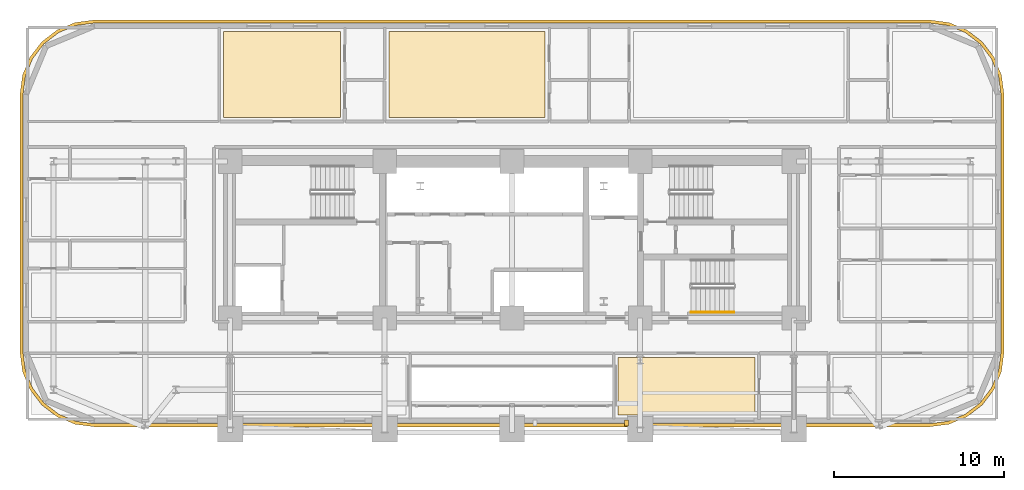
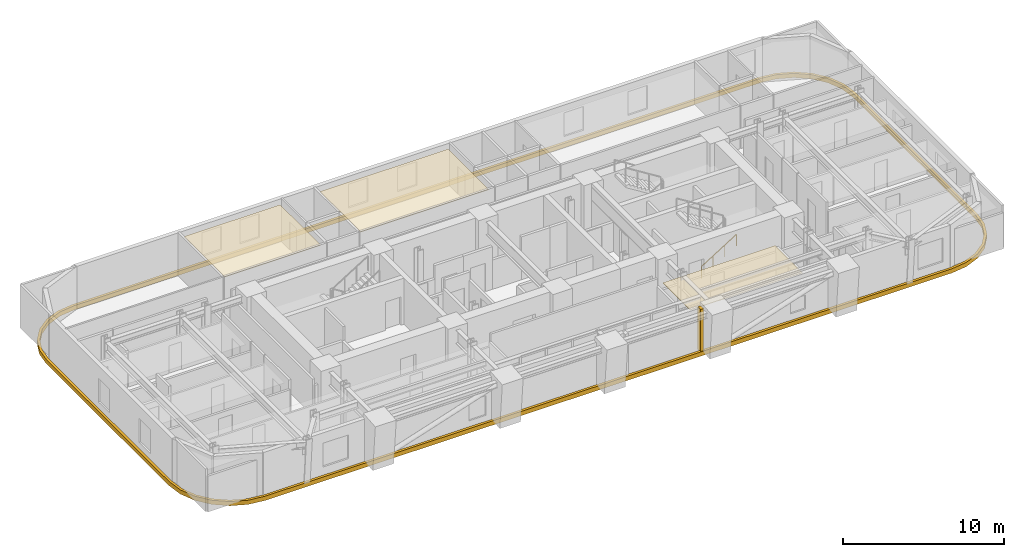
# One storey, part 15 of 16: 5 coverings, 1 railing.
"""IFC4 building model written with IfcOpenShell, lengths in metres."""

from ifc_helpers import new_model, si_unit, direction, frame, origin, origin_2d, place, context, subcontext, project, spatial, polyline, rectangle, outline, extrude, material, layer, layer_set, type_object, element, save


model = new_model("IFC4")

# Units and contexts
model_context = context("Model", 3, precision=1e-05, world=origin(), true_north=direction((0.0, 1.0)))
body_context = subcontext(model_context, "Body", "Model", "MODEL_VIEW")
ifc_project = project(units=[si_unit("LENGTHUNIT", "METRE"), si_unit("AREAUNIT", "SQUARE_METRE"), si_unit("VOLUMEUNIT", "CUBIC_METRE"), si_unit("PLANEANGLEUNIT", "RADIAN"), si_unit("MASSUNIT", "GRAM", prefix="KILO")], contexts=[model_context])

# Site, building, storey
site_placement = place(None, origin())
site = spatial("IfcSite", under=ifc_project, at=site_placement, CompositionType="ELEMENT")
building_placement = place(site_placement, origin())
building = spatial("IfcBuilding", under=site, at=building_placement, Name="Zarnavel Station Tower", CompositionType="ELEMENT")
storey_placement = place(building_placement, frame((0.0, 0.0, 53.5)))
storey = spatial("IfcBuildingStorey", under=building, at=storey_placement, Name="L14", CompositionType="ELEMENT", Elevation=53.5)

# Coverings
ifc_material_1 = material(Name="Perforated Gypsum and Mineral-Wool Acoustic Ceiling", Category="concrete")
ifc_layer = layer(ifc_material_1, 0.0400390625)
ifc_layer_set = layer_set([ifc_layer], Name="COV_CEIL_ACOUSTIC")
covering_type_1 = type_object("IfcCoveringType", Name="COV_CEIL_ACOUSTIC", PredefinedType="CEILING", material=ifc_layer_set)
covering_1_placement = place(storey_placement, frame((0.0, 0.0, 2.919921875)))
element("IfcCovering", 1, at=covering_1_placement, inside=storey, type_object=covering_type_1, Name="L14 HN1R Acoustic Ceiling", PredefinedType="CEILING", context=body_context, shape_type="SweptSolid", body=[
    extrude(outline(polyline([(11.81005859375, 39.64990234375), (18.699951171875, 39.64990234375), (18.699951171875, 44.68994140625), (11.81005859375, 44.68994140625), (11.81005859375, 39.64990234375)])), origin(), (0.0, 0.0, 1.0), 0.0400390625),
])
covering_2_placement = place(storey_placement, frame((0.0, 0.0, 2.919921875)))
element("IfcCovering", 2, at=covering_2_placement, inside=storey, type_object=covering_type_1, Name="L14 HN2R Acoustic Ceiling", PredefinedType="CEILING", context=body_context, shape_type="SweptSolid", body=[
    extrude(outline(polyline([(21.550048828125, 39.64990234375), (30.7470703125, 39.64990234375), (30.7470703125, 44.68994140625), (21.550048828125, 44.68994140625), (21.550048828125, 39.64990234375)])), origin(), (0.0, 0.0, 1.0), 0.0400390625),
])
covering_3_placement = place(storey_placement, frame((0.0, 0.0, 2.919921875)))
element("IfcCovering", 3, at=covering_3_placement, inside=storey, type_object=covering_type_1, Name="L14 HE1R Acoustic Ceiling", PredefinedType="CEILING", context=body_context, shape_type="SweptSolid", body=[
    extrude(outline(polyline([(35.050048828125, 22.110107421875), (43.10009765625, 22.110107421875), (43.10009765625, 25.5), (35.050048828125, 25.5), (35.050048828125, 22.110107421875)])), origin(), (0.0, 0.0, 1.0), 0.0400390625),
])
ifc_material_2 = material(Name="Precast concrete C45/55 (Pale Travertine Slab Band)", Category="masonry")
covering_type_2 = type_object("IfcCoveringType", Name="COV_TRAVERTINE_BAND", PredefinedType="CLADDING", material=ifc_material_2)
covering_4_placement = place(storey_placement, frame((0.0, 0.0, -0.260009765625)))
element("IfcCovering", 4, at=covering_4_placement, inside=storey, type_object=covering_type_2, Name="L14 Pale Travertine Slab-Edge Band", PredefinedType="CLADDING", context=body_context, shape_type="SweptSolid", body=[
    extrude(outline(polyline([(53.39990234375, 21.419921875), (54.53369140625, 21.569091796875), (55.590087890625, 22.0068359375), (56.4970703125, 22.702880859375), (57.193115234375, 23.610107421875), (57.630859375, 24.66650390625), (57.780029296875, 25.800048828125), (57.780029296875, 41.0), (57.630859375, 42.133544921875), (57.193115234375, 43.18994140625), (56.4970703125, 44.09716796875), (55.590087890625, 44.793212890625), (54.53369140625, 45.230712890625), (53.39990234375, 45.3798828125), (4.199951171875, 45.3798828125), (3.06640625, 45.230712890625), (2.010009765625, 44.793212890625), (1.102783203125, 44.09716796875), (0.40673828125, 43.18994140625), (-0.03076171875, 42.133544921875), (-0.179931640625, 41.0), (-0.179931640625, 25.800048828125), (-0.03076171875, 24.66650390625), (0.40673828125, 23.610107421875), (1.102783203125, 22.702880859375), (2.010009765625, 22.0068359375), (3.06640625, 21.569091796875), (4.199951171875, 21.419921875), (53.39990234375, 21.419921875)]), holes=[polyline([(53.39990234375, 21.60009765625), (54.487060546875, 21.7431640625), (55.5, 22.16259765625), (56.369873046875, 22.830078125), (57.037353515625, 23.699951171875), (57.456787109375, 24.712890625), (57.60009765625, 25.800048828125), (57.60009765625, 41.0), (57.456787109375, 42.0869140625), (57.037353515625, 43.10009765625), (56.369873046875, 43.9697265625), (55.5, 44.63720703125), (54.487060546875, 45.056884765625), (53.39990234375, 45.199951171875), (4.199951171875, 45.199951171875), (3.113037109375, 45.056884765625), (2.10009765625, 44.63720703125), (1.230224609375, 43.9697265625), (0.562744140625, 43.10009765625), (0.14306640625, 42.0869140625), (0.0, 41.0), (0.0, 25.800048828125), (0.14306640625, 24.712890625), (0.562744140625, 23.699951171875), (1.230224609375, 22.830078125), (2.10009765625, 22.16259765625), (3.113037109375, 21.7431640625), (4.199951171875, 21.60009765625), (53.39990234375, 21.60009765625)])]), origin(), (0.0, 0.0, 1.0), 0.320068359375),
])
covering_5_placement = place(storey_placement, frame((35.550048828125, 21.64990234375, 0.0), z_axis=(0.0, 0.0, 1.0), x_axis=(1.0, 0.0, 0.0)))
element("IfcCovering", 5, at=covering_5_placement, inside=storey, type_object=covering_type_2, Name="L14 Travertine Portal Loggia Vertical Jog East", PredefinedType="CLADDING", context=body_context, shape_type="SweptSolid", body=[
    extrude(rectangle(XDim=0.239990234375, YDim=0.360107421875, at=origin_2d()), origin(), (0.0, 0.0, 1.0), 3.239990234375),
])

# Railing
ifc_material_3 = material(Name="Brushed Stainless Steel S355J2 Handrail", Category="steel")
railing_type = type_object("IfcRailingType", Name="HR_STAIR_900", PredefinedType="HANDRAIL", material=ifc_material_3)
railing_placement = place(storey_placement, frame((39.35009765625, 28.169921875, 0.175048828125)))
element("IfcRailing", 6, at=railing_placement, inside=storey, type_object=railing_type, Name="L14 ST3 stair handrail 1", PredefinedType="HANDRAIL", context=body_context, shape_type="SweptSolid", body=[
    extrude(rectangle(XDim=0.048095703125, YDim=0.048095703125, at=origin_2d()), frame((0.001708984375, 0.0, 0.876953125), z_axis=(0.848007534815, 0.0, 0.529984170421), x_axis=(0.0, 1.0, 0.0)), (0.0, 0.0, 1.0), 2.9677734375),
    extrude(rectangle(XDim=0.0419921875, YDim=0.0419921875, at=origin_2d()), origin(), (0.0, 0.0, 1.0), 0.851806640625),
    extrude(rectangle(XDim=0.0419921875, YDim=0.0419921875, at=origin_2d()), frame((0.840087890625, 0.0, 0.52490234375)), (0.0, 0.0, 1.0), 0.851806640625),
    extrude(rectangle(XDim=0.0419921875, YDim=0.0419921875, at=origin_2d()), frame((1.679931640625, 0.0, 1.050048828125)), (0.0, 0.0, 1.0), 0.851806640625),
    extrude(rectangle(XDim=0.0419921875, YDim=0.0419921875, at=origin_2d()), frame((2.52001953125, 0.0, 1.574951171875)), (0.0, 0.0, 1.0), 0.851806640625),
])

save(model, "model.ifc")
